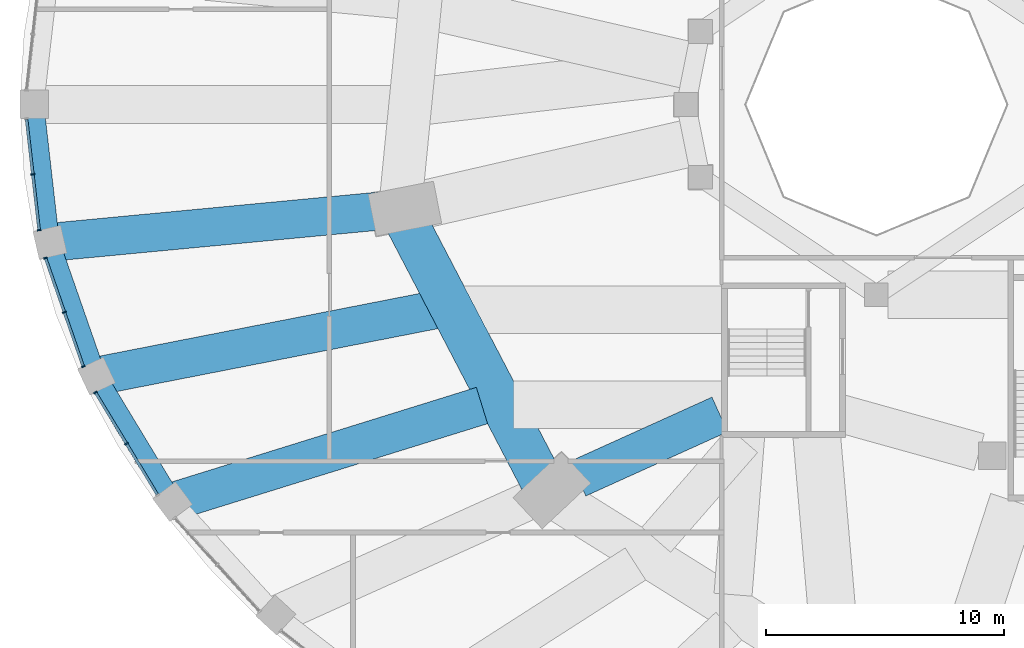
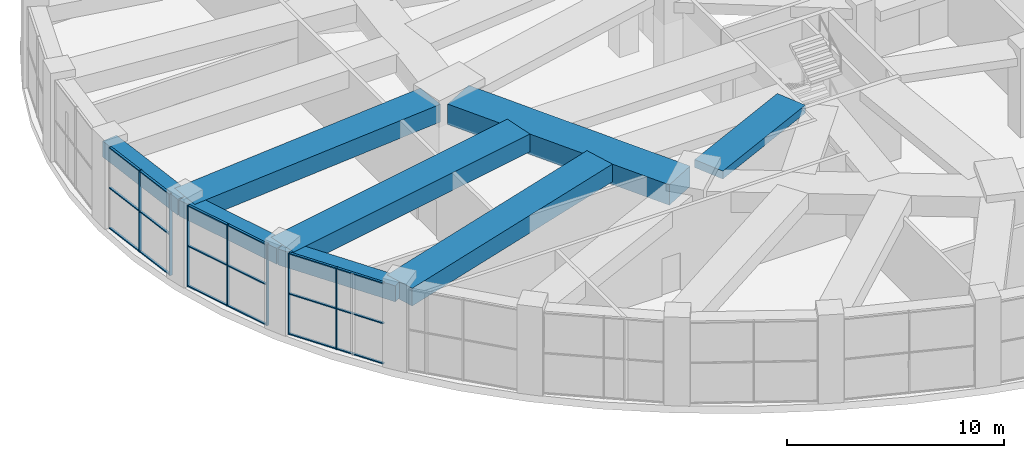
# One storey, part 3 of 32: 25 members, 8 beams, 3 elements without a shape of their own.
"""IFC4 building model written with IfcOpenShell, lengths in metres."""

from ifc_helpers import new_model, si_unit, direction, frame, origin, origin_2d, place, context, subcontext, project, spatial, rectangle, extrude, material, material_profile, profile_set, type_object, element, aggregate, save


model = new_model("IFC4")

# Units and contexts
model_context = context("Model", 3, precision=1e-05, world=origin(), true_north=direction((0.0, 1.0)))
body_context = subcontext(model_context, "Body", "Model", "MODEL_VIEW")
ifc_project = project(units=[si_unit("LENGTHUNIT", "METRE"), si_unit("AREAUNIT", "SQUARE_METRE"), si_unit("VOLUMEUNIT", "CUBIC_METRE"), si_unit("PLANEANGLEUNIT", "RADIAN"), si_unit("MASSUNIT", "GRAM", prefix="KILO")], contexts=[model_context])

# Site, building, storey
site_placement = place(None, origin())
site = spatial("IfcSite", under=ifc_project, at=site_placement, CompositionType="ELEMENT")
building_placement = place(site_placement, origin())
building = spatial("IfcBuilding", under=site, at=building_placement, Name="Taillehof Tower", CompositionType="ELEMENT")
storey_placement = place(building_placement, frame((0.0, 0.0, 7.5)))
storey = spatial("IfcBuildingStorey", under=building, at=storey_placement, Name="L01", CompositionType="ELEMENT", Elevation=7.5)

# Beams
ifc_material_1 = material(Name="Concrete C50/60", Category="concrete")
ifc_material_profile_1 = material_profile(ifc_material_1, rectangle(XDim=0.800048828125, YDim=0.89990234375, at=origin_2d()), Name="RC 800x900")
ifc_profile_set_1 = profile_set([ifc_material_profile_1], Name="Concrete C50/60")
beam_type_1 = type_object("IfcBeamType", Name="Podium edge beam C50/60 800x900", PredefinedType="BEAM", material=ifc_profile_set_1)
beam_1_placement = place(storey_placement, frame((-43.39990234375, 0.0, 4.139892578125), z_axis=(0.112928457179, -0.993603121754, 0.0), x_axis=(0.993603121754, 0.112928457179, 0.0)))
element("IfcBeam", 1, at=beam_1_placement, inside=storey, type_object=beam_type_1, Name="Podium edge beam PB19", PredefinedType="BEAM", context=body_context, shape_type="SweptSolid", body=[
    extrude(rectangle(XDim=0.800048828125, YDim=0.89990234375, at=origin_2d()), origin(), (0.0, 0.0, 1.0), 5.837158203125),
])
beam_2_placement = place(storey_placement, frame((-42.74072265625, -5.7998046875, 4.139892578125), z_axis=(0.328806837859, -0.94439719577, 0.0), x_axis=(0.94439719577, 0.328806837859, 0.0)))
element("IfcBeam", 2, at=beam_2_placement, inside=storey, type_object=beam_type_1, Name="Podium edge beam PB20", PredefinedType="BEAM", context=body_context, shape_type="SweptSolid", body=[
    extrude(rectangle(XDim=0.800048828125, YDim=0.89990234375, at=origin_2d()), origin(), (0.0, 0.0, 1.0), 5.954833984375),
])
beam_3_placement = place(storey_placement, frame((-40.78271484375, -11.423583984375, 4.139892578125), z_axis=(0.518238569123, -0.855236099258, 0.0), x_axis=(0.855236099258, 0.518238569123, 0.0)))
element("IfcBeam", 3, at=beam_3_placement, inside=storey, type_object=beam_type_1, Name="Podium edge beam PB21", PredefinedType="BEAM", context=body_context, shape_type="SweptSolid", body=[
    extrude(rectangle(XDim=0.800048828125, YDim=0.89990234375, at=origin_2d()), origin(), (0.0, 0.0, 1.0), 6.16943359375),
])
ifc_material_2 = material(Name="Concrete C50/60", Category="concrete")
ifc_material_profile_2 = material_profile(ifc_material_2, rectangle(XDim=1.60009765625, YDim=1.0, at=origin_2d()), Name="RC 1600x1000")
ifc_profile_set_2 = profile_set([ifc_material_profile_2], Name="Concrete C50/60")
beam_type_2 = type_object("IfcBeamType", Name="Podium radial beam C50/60 1600x1000", PredefinedType="BEAM", material=ifc_profile_set_2)
beam_4_placement = place(storey_placement, frame((-42.74072265625, -5.7998046875, 4.090087890625), z_axis=(0.995530936101, 0.094435985011, 0.0), x_axis=(-0.094435985011, 0.995530936101, 0.0)))
element("IfcBeam", 4, at=beam_4_placement, inside=storey, type_object=beam_type_2, Name="Podium radial beam PR20", PredefinedType="BEAM", context=body_context, shape_type="SweptSolid", body=[
    extrude(rectangle(XDim=1.60009765625, YDim=1.0, at=origin_2d()), origin(), (0.0, 0.0, 1.0), 13.9267578125),
])
beam_5_placement = place(storey_placement, frame((-40.78271484375, -11.423583984375, 4.090087890625), z_axis=(0.981363685946, 0.192159610496, 0.0), x_axis=(-0.192159610496, 0.981363685946, 0.0)))
element("IfcBeam", 5, at=beam_5_placement, inside=storey, type_object=beam_type_2, Name="Podium radial beam PR21", PredefinedType="BEAM", context=body_context, shape_type="SweptSolid", body=[
    extrude(rectangle(XDim=1.60009765625, YDim=1.0, at=origin_2d()), origin(), (0.0, 0.0, 1.0), 14.47119140625),
])
beam_6_placement = place(storey_placement, frame((-37.58544921875, -16.699951171875, 4.090087890625), z_axis=(0.954999719984, 0.296606700583, 0.0), x_axis=(-0.296606700583, 0.954999719984, 0.0)))
element("IfcBeam", 6, at=beam_6_placement, inside=storey, type_object=beam_type_2, Name="Podium radial beam PR22", PredefinedType="BEAM", context=body_context, shape_type="SweptSolid", body=[
    extrude(rectangle(XDim=1.60009765625, YDim=1.0, at=origin_2d()), origin(), (0.0, 0.0, 1.0), 13.619140625),
])

# Curtain wall, members
ifc_material_3 = material(Name="Aluminium curtain wall with Clear low-emissivity double glazing", Category="aluminium")
curtain_wall_type = type_object("IfcCurtainWallType", Name="Podium window wall curtain wall", PredefinedType="USERDEFINED", material=ifc_material_3)
curtain_wall_1_placement = place(storey_placement, origin())
curtain_wall_1 = element("IfcCurtainWall", 7, at=curtain_wall_1_placement, inside=storey, type_object=curtain_wall_type, Name="Podium window wall L01 bay 19", ObjectType="WINDOW WALL", PredefinedType="USERDEFINED")
ifc_material_4 = material(Name="Aluminium mullion", Category="aluminium")
ifc_material_profile_3 = material_profile(ifc_material_4, rectangle(XDim=0.159912109375, YDim=0.06005859375, at=origin_2d()), Name="AL 60x160")
ifc_profile_set_3 = profile_set([ifc_material_profile_3], Name="Aluminium mullion")
member_type_1 = type_object("IfcMemberType", Name="Podium window wall mullion 60x160", PredefinedType="MULLION", material=ifc_profile_set_3)
member_1_placement = place(storey_placement, frame((-43.464111328125, -2.9443359375, 0.0), z_axis=(0.0, 0.0, 1.0), x_axis=(0.993602669771, 0.112932433888, 0.0)))
member_1 = element("IfcMember", 8, at=member_1_placement, type_object=member_type_1, Name="CT219 mullion 2", PredefinedType="MULLION", context=body_context, shape_type="SweptSolid", body=[
    extrude(rectangle(XDim=0.159912109375, YDim=0.06005859375, at=origin_2d()), origin(), (0.0, 0.0, 1.0), 4.590087890625),
])
member_2_placement = place(storey_placement, frame((-43.197509765625, -5.28857421875, 0.0), z_axis=(0.0, 0.0, 1.0), x_axis=(0.993602669771, 0.112932433888, 0.0)))
member_2 = element("IfcMember", 9, at=member_2_placement, type_object=member_type_1, Name="CT219 mullion 3", PredefinedType="MULLION", context=body_context, shape_type="SweptSolid", body=[
    extrude(rectangle(XDim=0.159912109375, YDim=0.06005859375, at=origin_2d()), origin(), (0.0, 0.0, 1.0), 4.590087890625),
])

curtain_wall_2_placement = place(storey_placement, origin())
curtain_wall_2 = element("IfcCurtainWall", 10, at=curtain_wall_2_placement, inside=storey, type_object=curtain_wall_type, Name="Podium window wall L01 bay 20", ObjectType="WINDOW WALL", PredefinedType="USERDEFINED")
member_3_placement = place(storey_placement, frame((-42.930908203125, -6.458740234375, 0.0), z_axis=(0.0, 0.0, 1.0), x_axis=(0.944414333464, 0.328757610934, 0.0)))
member_3 = element("IfcMember", 11, at=member_3_placement, type_object=member_type_1, Name="CT220 mullion 1", PredefinedType="MULLION", context=body_context, shape_type="SweptSolid", body=[
    extrude(rectangle(XDim=0.159912109375, YDim=0.06005859375, at=origin_2d()), origin(), (0.0, 0.0, 1.0), 4.590087890625),
])
member_4_placement = place(storey_placement, frame((-42.136474609375, -8.7412109375, 0.0), z_axis=(0.0, 0.0, 1.0), x_axis=(0.944414333464, 0.328757610934, 0.0)))
member_4 = element("IfcMember", 12, at=member_4_placement, type_object=member_type_1, Name="CT220 mullion 2", PredefinedType="MULLION", context=body_context, shape_type="SweptSolid", body=[
    extrude(rectangle(XDim=0.159912109375, YDim=0.06005859375, at=origin_2d()), origin(), (0.0, 0.0, 1.0), 4.590087890625),
])
member_5_placement = place(storey_placement, frame((-41.341796875, -11.023681640625, 0.0), z_axis=(0.0, 0.0, 1.0), x_axis=(0.944414333464, 0.328757610934, 0.0)))
member_5 = element("IfcMember", 13, at=member_5_placement, type_object=member_type_1, Name="CT220 mullion 3", PredefinedType="MULLION", context=body_context, shape_type="SweptSolid", body=[
    extrude(rectangle(XDim=0.159912109375, YDim=0.06005859375, at=origin_2d()), origin(), (0.0, 0.0, 1.0), 4.590087890625),
])

curtain_wall_3_placement = place(storey_placement, origin())
curtain_wall_3 = element("IfcCurtainWall", 14, at=curtain_wall_3_placement, inside=storey, type_object=curtain_wall_type, Name="Podium window wall L01 bay 21", ObjectType="WINDOW WALL", PredefinedType="USERDEFINED")
member_6_placement = place(storey_placement, frame((-40.8310546875, -12.109375, 0.0), z_axis=(0.0, 0.0, 1.0), x_axis=(0.855288863309, 0.518151483931, 0.0)))
member_6 = element("IfcMember", 15, at=member_6_placement, type_object=member_type_1, Name="CT221 mullion 1", PredefinedType="MULLION", context=body_context, shape_type="SweptSolid", body=[
    extrude(rectangle(XDim=0.159912109375, YDim=0.06005859375, at=origin_2d()), origin(), (0.0, 0.0, 1.0), 4.590087890625),
])
member_7_placement = place(storey_placement, frame((-39.524169921875, -14.266357421875, 0.0), z_axis=(0.0, 0.0, 1.0), x_axis=(0.855288863309, 0.518151483931, 0.0)))
member_7 = element("IfcMember", 16, at=member_7_placement, type_object=member_type_1, Name="CT221 mullion 2", PredefinedType="MULLION", context=body_context, shape_type="SweptSolid", body=[
    extrude(rectangle(XDim=0.159912109375, YDim=0.06005859375, at=origin_2d()), origin(), (0.0, 0.0, 1.0), 4.590087890625),
])

# Member
ifc_material_5 = material(Name="Aluminium transom", Category="aluminium")
ifc_material_profile_4 = material_profile(ifc_material_5, rectangle(XDim=0.1201171875, YDim=0.06005859375, at=origin_2d()), Name="AL 120x60")
ifc_profile_set_4 = profile_set([ifc_material_profile_4], Name="Aluminium transom")
member_type_2 = type_object("IfcMemberType", Name="Podium window wall transom 120x60", PredefinedType="USERDEFINED", material=ifc_profile_set_4)
member_8_placement = place(storey_placement, frame((-43.72705078125, -0.6298828125, 0.030029296875), z_axis=(0.112866805394, -0.993610126881, 0.0), x_axis=(0.993610126881, 0.112866805394, 0.0)))
member_8 = element("IfcMember", 17, at=member_8_placement, type_object=member_type_2, Name="CT219 transom 1.1", ObjectType="TRANSOM", PredefinedType="USERDEFINED", context=body_context, shape_type="SweptSolid", body=[
    extrude(rectangle(XDim=0.1201171875, YDim=0.06005859375, at=origin_2d()), origin(), (0.0, 0.0, 1.0), 2.29931640625),
])

member_9_placement = place(storey_placement, frame((-43.72705078125, -0.6298828125, 2.294921875), z_axis=(0.112866805394, -0.993610126881, 0.0), x_axis=(0.993610126881, 0.112866805394, 0.0)))
member_9 = element("IfcMember", 18, at=member_9_placement, type_object=member_type_2, Name="CT219 transom 1.2", ObjectType="TRANSOM", PredefinedType="USERDEFINED", context=body_context, shape_type="SweptSolid", body=[
    extrude(rectangle(XDim=0.1201171875, YDim=0.06005859375, at=origin_2d()), origin(), (0.0, 0.0, 1.0), 2.29931640625),
])

member_10_placement = place(storey_placement, frame((-43.72705078125, -0.6298828125, 4.56005859375), z_axis=(0.112866805394, -0.993610126881, 0.0), x_axis=(0.993610126881, 0.112866805394, 0.0)))
member_10 = element("IfcMember", 19, at=member_10_placement, type_object=member_type_2, Name="CT219 transom 1.3", ObjectType="TRANSOM", PredefinedType="USERDEFINED", context=body_context, shape_type="SweptSolid", body=[
    extrude(rectangle(XDim=0.1201171875, YDim=0.06005859375, at=origin_2d()), origin(), (0.0, 0.0, 1.0), 2.29931640625),
])

member_11_placement = place(storey_placement, frame((-43.460693359375, -2.97412109375, 0.030029296875), z_axis=(0.112971628537, -0.993598214142, 0.0), x_axis=(0.993598214142, 0.112971628537, 0.0)))
member_11 = element("IfcMember", 20, at=member_11_placement, type_object=member_type_2, Name="CT219 transom 2.1", ObjectType="TRANSOM", PredefinedType="USERDEFINED", context=body_context, shape_type="SweptSolid", body=[
    extrude(rectangle(XDim=0.1201171875, YDim=0.06005859375, at=origin_2d()), origin(), (0.0, 0.0, 1.0), 2.29931640625),
])

member_12_placement = place(storey_placement, frame((-43.460693359375, -2.97412109375, 2.294921875), z_axis=(0.112971628537, -0.993598214142, 0.0), x_axis=(0.993598214142, 0.112971628537, 0.0)))
member_12 = element("IfcMember", 21, at=member_12_placement, type_object=member_type_2, Name="CT219 transom 2.2", ObjectType="TRANSOM", PredefinedType="USERDEFINED", context=body_context, shape_type="SweptSolid", body=[
    extrude(rectangle(XDim=0.1201171875, YDim=0.06005859375, at=origin_2d()), origin(), (0.0, 0.0, 1.0), 2.29931640625),
])

member_13_placement = place(storey_placement, frame((-43.460693359375, -2.97412109375, 4.56005859375), z_axis=(0.112971628537, -0.993598214142, 0.0), x_axis=(0.993598214142, 0.112971628537, 0.0)))
member_13 = element("IfcMember", 22, at=member_13_placement, type_object=member_type_2, Name="CT219 transom 2.3", ObjectType="TRANSOM", PredefinedType="USERDEFINED", context=body_context, shape_type="SweptSolid", body=[
    extrude(rectangle(XDim=0.1201171875, YDim=0.06005859375, at=origin_2d()), origin(), (0.0, 0.0, 1.0), 2.29931640625),
])

aggregate(curtain_wall_1, [member_1, member_2, member_8, member_9, member_10, member_11, member_12, member_13])

member_14_placement = place(storey_placement, frame((-42.921142578125, -6.487060546875, 0.030029296875), z_axis=(0.328785781258, -0.944404526695, 0.0), x_axis=(0.944404526695, 0.328785781258, 0.0)))
member_14 = element("IfcMember", 23, at=member_14_placement, type_object=member_type_2, Name="CT220 transom 1.1", ObjectType="TRANSOM", PredefinedType="USERDEFINED", context=body_context, shape_type="SweptSolid", body=[
    extrude(rectangle(XDim=0.1201171875, YDim=0.06005859375, at=origin_2d()), origin(), (0.0, 0.0, 1.0), 2.35693359375),
])

member_15_placement = place(storey_placement, frame((-42.921142578125, -6.487060546875, 2.294921875), z_axis=(0.328785781258, -0.944404526695, 0.0), x_axis=(0.944404526695, 0.328785781258, 0.0)))
member_15 = element("IfcMember", 24, at=member_15_placement, type_object=member_type_2, Name="CT220 transom 1.2", ObjectType="TRANSOM", PredefinedType="USERDEFINED", context=body_context, shape_type="SweptSolid", body=[
    extrude(rectangle(XDim=0.1201171875, YDim=0.06005859375, at=origin_2d()), origin(), (0.0, 0.0, 1.0), 2.35693359375),
])

member_16_placement = place(storey_placement, frame((-42.921142578125, -6.487060546875, 4.56005859375), z_axis=(0.328785781258, -0.944404526695, 0.0), x_axis=(0.944404526695, 0.328785781258, 0.0)))
member_16 = element("IfcMember", 25, at=member_16_placement, type_object=member_type_2, Name="CT220 transom 1.3", ObjectType="TRANSOM", PredefinedType="USERDEFINED", context=body_context, shape_type="SweptSolid", body=[
    extrude(rectangle(XDim=0.1201171875, YDim=0.06005859375, at=origin_2d()), origin(), (0.0, 0.0, 1.0), 2.35693359375),
])

member_17_placement = place(storey_placement, frame((-42.12646484375, -8.76953125, 0.030029296875), z_axis=(0.328693387122, -0.9444366878, 0.0), x_axis=(0.9444366878, 0.328693387122, 0.0)))
member_17 = element("IfcMember", 26, at=member_17_placement, type_object=member_type_2, Name="CT220 transom 2.1", ObjectType="TRANSOM", PredefinedType="USERDEFINED", context=body_context, shape_type="SweptSolid", body=[
    extrude(rectangle(XDim=0.1201171875, YDim=0.06005859375, at=origin_2d()), origin(), (0.0, 0.0, 1.0), 2.356689453125),
])

member_18_placement = place(storey_placement, frame((-42.12646484375, -8.76953125, 2.294921875), z_axis=(0.328693387122, -0.9444366878, 0.0), x_axis=(0.9444366878, 0.328693387122, 0.0)))
member_18 = element("IfcMember", 27, at=member_18_placement, type_object=member_type_2, Name="CT220 transom 2.2", ObjectType="TRANSOM", PredefinedType="USERDEFINED", context=body_context, shape_type="SweptSolid", body=[
    extrude(rectangle(XDim=0.1201171875, YDim=0.06005859375, at=origin_2d()), origin(), (0.0, 0.0, 1.0), 2.356689453125),
])

member_19_placement = place(storey_placement, frame((-42.12646484375, -8.76953125, 4.56005859375), z_axis=(0.328693387122, -0.9444366878, 0.0), x_axis=(0.9444366878, 0.328693387122, 0.0)))
member_19 = element("IfcMember", 28, at=member_19_placement, type_object=member_type_2, Name="CT220 transom 2.3", ObjectType="TRANSOM", PredefinedType="USERDEFINED", context=body_context, shape_type="SweptSolid", body=[
    extrude(rectangle(XDim=0.1201171875, YDim=0.06005859375, at=origin_2d()), origin(), (0.0, 0.0, 1.0), 2.356689453125),
])

aggregate(curtain_wall_2, [member_3, member_4, member_5, member_14, member_15, member_16, member_17, member_18, member_19])

member_20_placement = place(storey_placement, frame((-40.8154296875, -12.135009765625, 0.030029296875), z_axis=(0.518136875535, -0.855297713203, 0.0), x_axis=(0.855297713203, 0.518136875535, 0.0)))
member_20 = element("IfcMember", 29, at=member_20_placement, type_object=member_type_2, Name="CT221 transom 1.1", ObjectType="TRANSOM", PredefinedType="USERDEFINED", context=body_context, shape_type="SweptSolid", body=[
    extrude(rectangle(XDim=0.1201171875, YDim=0.06005859375, at=origin_2d()), origin(), (0.0, 0.0, 1.0), 2.4619140625),
])

member_21_placement = place(storey_placement, frame((-40.8154296875, -12.135009765625, 2.294921875), z_axis=(0.518136875535, -0.855297713203, 0.0), x_axis=(0.855297713203, 0.518136875535, 0.0)))
member_21 = element("IfcMember", 30, at=member_21_placement, type_object=member_type_2, Name="CT221 transom 1.2", ObjectType="TRANSOM", PredefinedType="USERDEFINED", context=body_context, shape_type="SweptSolid", body=[
    extrude(rectangle(XDim=0.1201171875, YDim=0.06005859375, at=origin_2d()), origin(), (0.0, 0.0, 1.0), 2.4619140625),
])

member_22_placement = place(storey_placement, frame((-40.8154296875, -12.135009765625, 4.56005859375), z_axis=(0.518136875535, -0.855297713203, 0.0), x_axis=(0.855297713203, 0.518136875535, 0.0)))
member_22 = element("IfcMember", 31, at=member_22_placement, type_object=member_type_2, Name="CT221 transom 1.3", ObjectType="TRANSOM", PredefinedType="USERDEFINED", context=body_context, shape_type="SweptSolid", body=[
    extrude(rectangle(XDim=0.1201171875, YDim=0.06005859375, at=origin_2d()), origin(), (0.0, 0.0, 1.0), 2.4619140625),
])

member_23_placement = place(storey_placement, frame((-39.5087890625, -14.2919921875, 0.030029296875), z_axis=(0.518136875535, -0.855297713203, 0.0), x_axis=(0.855297713203, 0.518136875535, 0.0)))
member_23 = element("IfcMember", 32, at=member_23_placement, type_object=member_type_2, Name="CT221 transom 2.1", ObjectType="TRANSOM", PredefinedType="USERDEFINED", context=body_context, shape_type="SweptSolid", body=[
    extrude(rectangle(XDim=0.1201171875, YDim=0.06005859375, at=origin_2d()), origin(), (0.0, 0.0, 1.0), 2.4619140625),
])

member_24_placement = place(storey_placement, frame((-39.5087890625, -14.2919921875, 2.294921875), z_axis=(0.518136875535, -0.855297713203, 0.0), x_axis=(0.855297713203, 0.518136875535, 0.0)))
member_24 = element("IfcMember", 33, at=member_24_placement, type_object=member_type_2, Name="CT221 transom 2.2", ObjectType="TRANSOM", PredefinedType="USERDEFINED", context=body_context, shape_type="SweptSolid", body=[
    extrude(rectangle(XDim=0.1201171875, YDim=0.06005859375, at=origin_2d()), origin(), (0.0, 0.0, 1.0), 2.4619140625),
])

member_25_placement = place(storey_placement, frame((-39.5087890625, -14.2919921875, 4.56005859375), z_axis=(0.518136875535, -0.855297713203, 0.0), x_axis=(0.855297713203, 0.518136875535, 0.0)))
member_25 = element("IfcMember", 34, at=member_25_placement, type_object=member_type_2, Name="CT221 transom 2.3", ObjectType="TRANSOM", PredefinedType="USERDEFINED", context=body_context, shape_type="SweptSolid", body=[
    extrude(rectangle(XDim=0.1201171875, YDim=0.06005859375, at=origin_2d()), origin(), (0.0, 0.0, 1.0), 2.4619140625),
])

aggregate(curtain_wall_3, [member_6, member_7, member_20, member_21, member_22, member_23, member_24, member_25])

# Beams
ifc_material_6 = material(Name="Concrete C50/60", Category="concrete")
ifc_material_profile_5 = material_profile(ifc_material_6, rectangle(XDim=1.60009765625, YDim=0.449951171875, at=origin_2d()), Name="RC 1600x450")
ifc_profile_set_5 = profile_set([ifc_material_profile_5], Name="Concrete C50/60")
beam_type_3 = type_object("IfcBeamType", Name="Radial band beam C50/60 1600x450", PredefinedType="BEAM", material=ifc_profile_set_5)
beam_7_placement = place(storey_placement, frame((-20.54345703125, -15.734130859375, 4.364990234375), z_axis=(0.911098251223, 0.412189248547, 0.0), x_axis=(-0.412189248547, 0.911098251223, 0.0)))
element("IfcBeam", 35, at=beam_7_placement, inside=storey, type_object=beam_type_3, Name="Radial band beam RB23", PredefinedType="BEAM", context=body_context, shape_type="SweptSolid", body=[
    extrude(rectangle(XDim=1.60009765625, YDim=0.449951171875, at=origin_2d()), origin(), (0.0, 0.0, 1.0), 6.545654296875),
])
ifc_material_7 = material(Name="Concrete C50/60", Category="concrete")
ifc_material_profile_6 = material_profile(ifc_material_7, rectangle(XDim=1.800048828125, YDim=1.14990234375, at=origin_2d()), Name="RC 1800x1150")
ifc_profile_set_6 = profile_set([ifc_material_profile_6], Name="Concrete C50/60")
beam_type_4 = type_object("IfcBeamType", Name="Ring floor beam C50/60 1800x1150", PredefinedType="BEAM", material=ifc_profile_set_6)
beam_8_placement = place(storey_placement, frame((-27.716552734375, -5.01708984375, 4.014892578125), z_axis=(0.462558439378, -0.88658879429, 0.0), x_axis=(0.88658879429, 0.462558439378, 0.0)))
element("IfcBeam", 36, at=beam_8_placement, inside=storey, type_object=beam_type_4, Name="Ring floor beam RG07", PredefinedType="BEAM", context=body_context, shape_type="SweptSolid", body=[
    extrude(rectangle(XDim=1.800048828125, YDim=1.14990234375, at=origin_2d()), origin(), (0.0, 0.0, 1.0), 12.12841796875),
])

save(model, "model.ifc")
